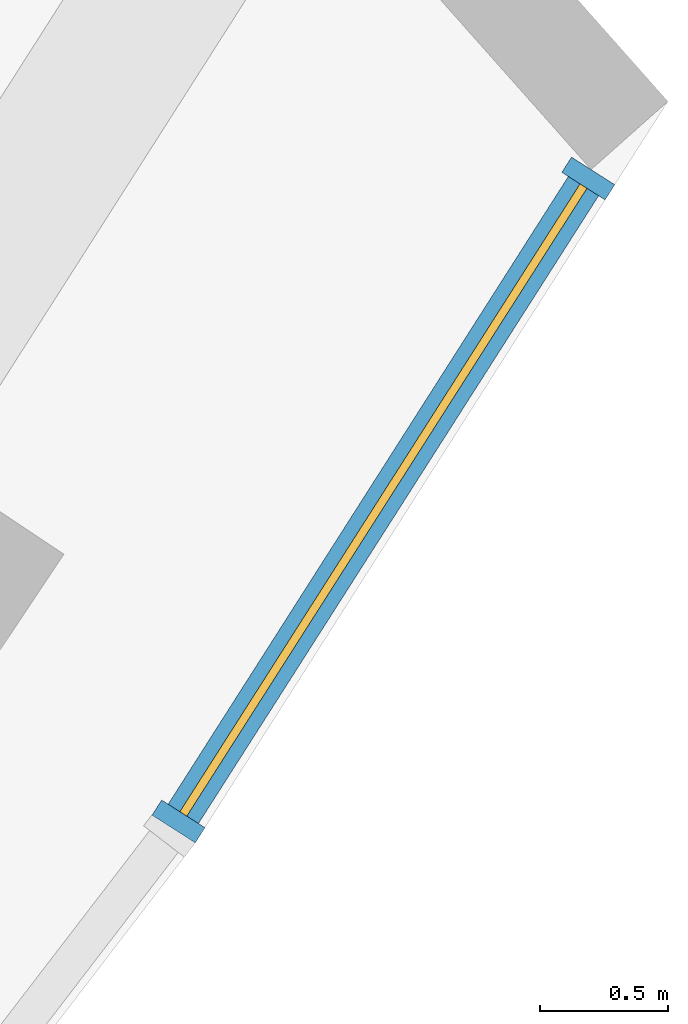
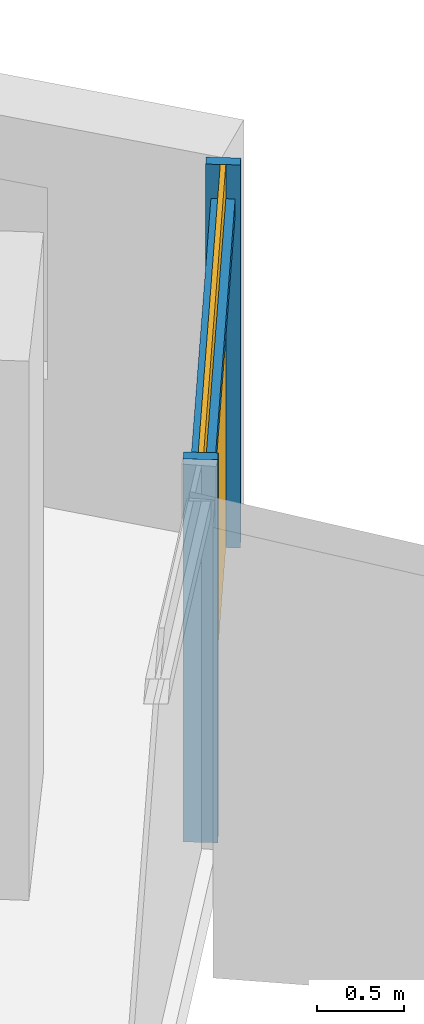
# One storey, part 24 of 33: 3 members, 1 curtain wall.
"""IFC4 building model written with IfcOpenShell, lengths in metres."""

from ifc_helpers import new_model, si_unit, direction, frame, origin, origin_2d, place, context, subcontext, project, spatial, rectangle, extrude, material, material_profile, profile_set, type_object, element, aggregate, save


model = new_model("IFC4")

# Units and contexts
model_context = context("Model", 3, precision=1e-05, world=origin(), true_north=direction((0.0, 1.0)))
body_context = subcontext(model_context, "Body", "Model", "MODEL_VIEW")
ifc_project = project(units=[si_unit("LENGTHUNIT", "METRE"), si_unit("AREAUNIT", "SQUARE_METRE"), si_unit("VOLUMEUNIT", "CUBIC_METRE"), si_unit("PLANEANGLEUNIT", "RADIAN"), si_unit("MASSUNIT", "GRAM", prefix="KILO")], contexts=[model_context])

# Member
ifc_material = material(Name="Aluminium 6063-T6 anodised", Category="aluminium")
ifc_material_profile_1 = material_profile(ifc_material, rectangle(XDim=0.199951171875, YDim=0.070068359375, at=origin_2d()))
ifc_profile_set_1 = profile_set([ifc_material_profile_1], Name="Aluminium 6063-T6 anodised")
member_type_1 = type_object("IfcMemberType", Name="Mullion 70 x 200 aluminium", PredefinedType="MULLION", material=ifc_profile_set_1)
site_placement = place(None, origin())
building_placement = place(site_placement, origin())
storey_placement = place(building_placement, frame((0.0, 0.0, 78.5)))
member_1_placement = place(storey_placement, frame((66.1611328125, -44.16796875, 0.0), z_axis=(0.0, 0.0, 1.0), x_axis=(-0.843222031834, 0.537565442555, 0.0)))
member_1 = element("IfcMember", 1, at=member_1_placement, type_object=member_type_1, Name="e-cw1-L16-out16/M00", PredefinedType="MULLION", context=body_context, shape_type="SweptSolid", body=[
    extrude(rectangle(XDim=0.199951171875, YDim=0.070068359375, at=origin_2d()), origin(), (0.0, 0.0, 1.0), 2.699951171875),
])

member_2_placement = place(storey_placement, frame((67.757568359375, -41.66357421875, 0.0), z_axis=(0.0, 0.0, 1.0), x_axis=(-0.843222031834, 0.537565442555, 0.0)))
member_2 = element("IfcMember", 2, at=member_2_placement, type_object=member_type_1, Name="e-cw1-L16-out16/M01", PredefinedType="MULLION", context=body_context, shape_type="SweptSolid", body=[
    extrude(rectangle(XDim=0.199951171875, YDim=0.070068359375, at=origin_2d()), origin(), (0.0, 0.0, 1.0), 2.699951171875),
])

ifc_material_profile_2 = material_profile(ifc_material, rectangle(XDim=0.139892578125, YDim=0.1201171875, at=origin_2d()))
ifc_profile_set_2 = profile_set([ifc_material_profile_2], Name="Aluminium 6063-T6 anodised")
member_type_2 = type_object("IfcMemberType", Name="Transom 120 x 140 aluminium", PredefinedType="USERDEFINED", material=ifc_profile_set_2)
member_3_placement = place(storey_placement, frame((66.179931640625, -44.138427734375, 2.39990234375), z_axis=(0.537545366522, 0.84323483024, 0.0), x_axis=(-0.84323483024, 0.537545366522, 0.0)))
member_3 = element("IfcMember", 3, at=member_3_placement, type_object=member_type_2, Name="e-cw1-L16-out16/T00", ObjectType="TRANSOM", PredefinedType="USERDEFINED", context=body_context, shape_type="SweptSolid", body=[
    extrude(rectangle(XDim=0.139892578125, YDim=0.1201171875, at=origin_2d()), origin(), (0.0, 0.0, 1.0), 2.89990234375),
])

# Site, building, storey
site = spatial("IfcSite", under=ifc_project, at=site_placement, CompositionType="ELEMENT")
building = spatial("IfcBuilding", under=site, at=building_placement, Name="Qamariyya Broadcast Tower", CompositionType="ELEMENT")
storey = spatial("IfcBuildingStorey", under=building, at=storey_placement, Name="L16", CompositionType="ELEMENT", Elevation=78.5)

# Curtain wall
curtain_wall_type = type_object("IfcCurtainWallType", Name="Unitised curtain wall, anodised aluminium", PredefinedType="NOTDEFINED", material=ifc_material)
curtain_wall_placement = place(storey_placement, origin())
curtain_wall = element("IfcCurtainWall", 4, at=curtain_wall_placement, inside=storey, type_object=curtain_wall_type, Name="e-cw1-L16-out16", PredefinedType="NOTDEFINED", context=body_context, shape_type="SweptSolid", body=[
    extrude(rectangle(XDim=2.89990234375, YDim=0.031982421875, at=origin_2d()), frame((66.95947265625, -42.915771484375, 0.0), x_axis=(0.537514510852, 0.84325449932, 0.0)), (0.0, 0.0, 1.0), 2.340087890625),
    extrude(rectangle(XDim=2.89990234375, YDim=0.031982421875, at=origin_2d()), frame((66.95947265625, -42.915771484375, 2.4599609375), x_axis=(0.537514510852, 0.84325449932, 0.0)), (0.0, 0.0, 1.0), 0.239990234375),
])

aggregate(curtain_wall, [member_1, member_2, member_3])

save(model, "model.ifc")
